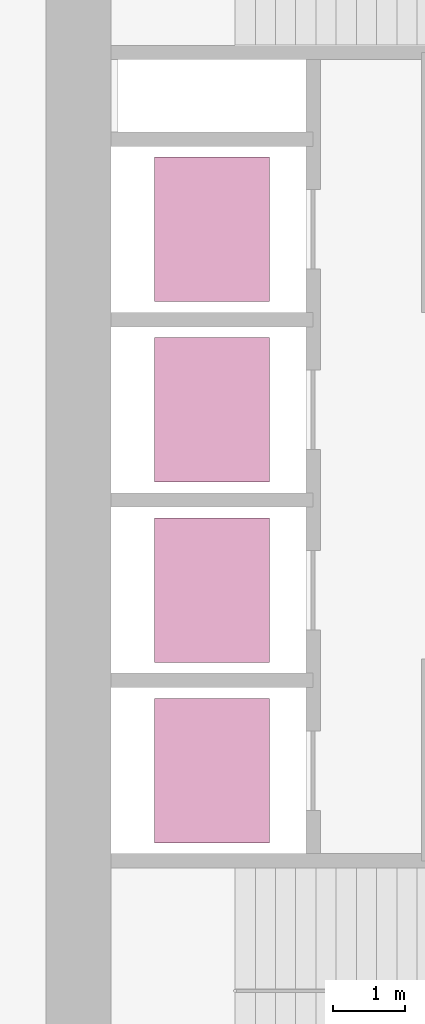
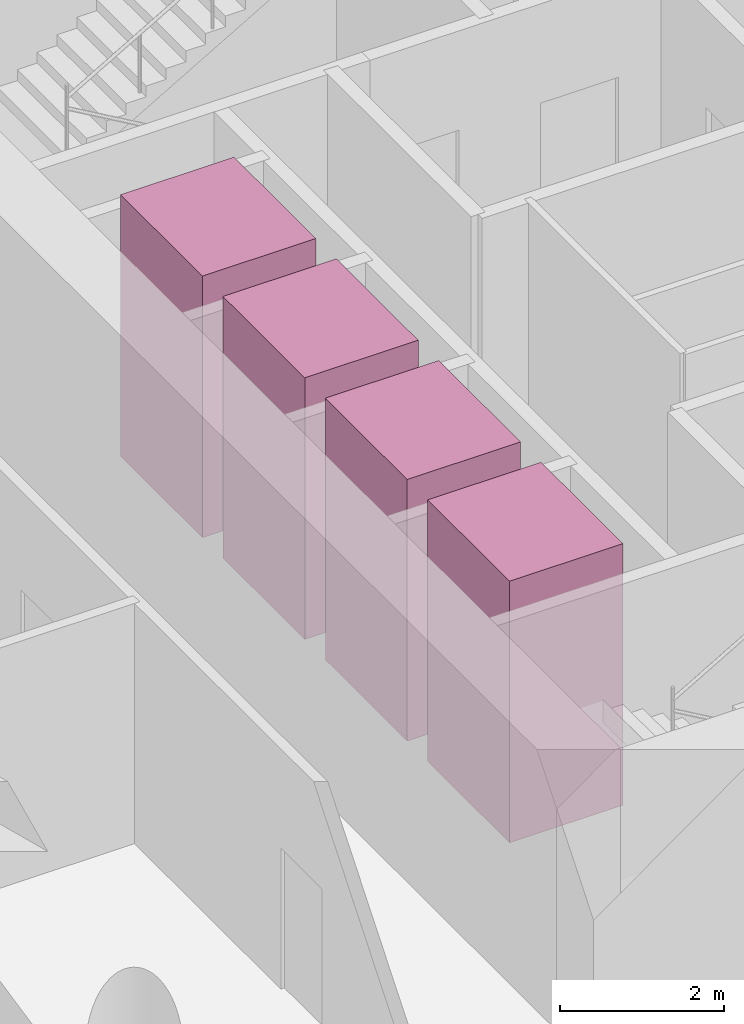
# One storey, part 10 of 10: 4 transport elements.
"""IFC4 building model written with IfcOpenShell, lengths in metres."""

from ifc_helpers import new_model, si_unit, direction, frame, origin, origin_2d, place, context, subcontext, project, spatial, rectangle, extrude, material, type_object, element, save


model = new_model("IFC4")

# Units and contexts
model_context = context("Model", 3, precision=1e-05, world=origin(), true_north=direction((0.0, 1.0)))
body_context = subcontext(model_context, "Body", "Model", "MODEL_VIEW")
ifc_project = project(units=[si_unit("LENGTHUNIT", "METRE"), si_unit("AREAUNIT", "SQUARE_METRE"), si_unit("VOLUMEUNIT", "CUBIC_METRE"), si_unit("PLANEANGLEUNIT", "RADIAN"), si_unit("MASSUNIT", "GRAM", prefix="KILO")], contexts=[model_context])

# Site, building, storey
site_placement = place(None, origin())
site = spatial("IfcSite", under=ifc_project, at=site_placement, CompositionType="ELEMENT")
building_placement = place(site_placement, origin())
building = spatial("IfcBuilding", under=site, at=building_placement, Name="Qaws Garden Tower", CompositionType="ELEMENT")
storey_placement = place(building_placement, frame((0.0, 0.0, 58.800048828125)))
storey = spatial("IfcBuildingStorey", under=building, at=storey_placement, Name="L14", CompositionType="ELEMENT", Elevation=58.800048828125)

# Transport elements
ifc_material = material(Name="Stainless steel 316", Category="steel")
transport_element_type = type_object("IfcTransportElementType", Name="Passenger lift car 2000x1600 1800 kg", PredefinedType="ELEVATOR", material=ifc_material)
for number, where, z_axis, x_axis, name in (
    (1, (10.300048828125, 13.64990234375, 0.0), (0.0, 0.0, 1.0), (1.0, 0.0, 0.0), "LR1"),
    (2, (10.300048828125, 16.14990234375, 0.0), (0.0, 0.0, 1.0), (1.0, 0.0, 0.0), "LR2"),
    (3, (10.300048828125, 18.64990234375, 0.0), (0.0, 0.0, 1.0), (1.0, 0.0, 0.0), "LR3"),
    (4, (10.300048828125, 21.14990234375, 0.0), (0.0, 0.0, 1.0), (1.0, 0.0, 0.0), "LR4"),
):
    element("IfcTransportElement", number, at=place(storey_placement, frame(where, z_axis=z_axis, x_axis=x_axis)), inside=storey, type_object=transport_element_type, Name=name, PredefinedType="ELEVATOR", context=body_context, shape_type="SweptSolid", body=[
        extrude(rectangle(XDim=1.60009765625, YDim=2.0, at=origin_2d()), origin(), (0.0, 0.0, 1.0), 3.89990234375),
    ])

save(model, "model.ifc")
